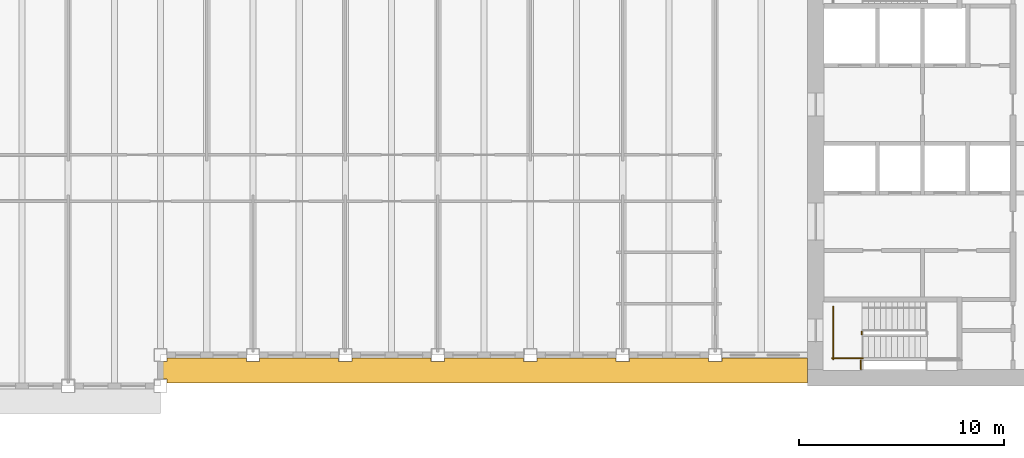
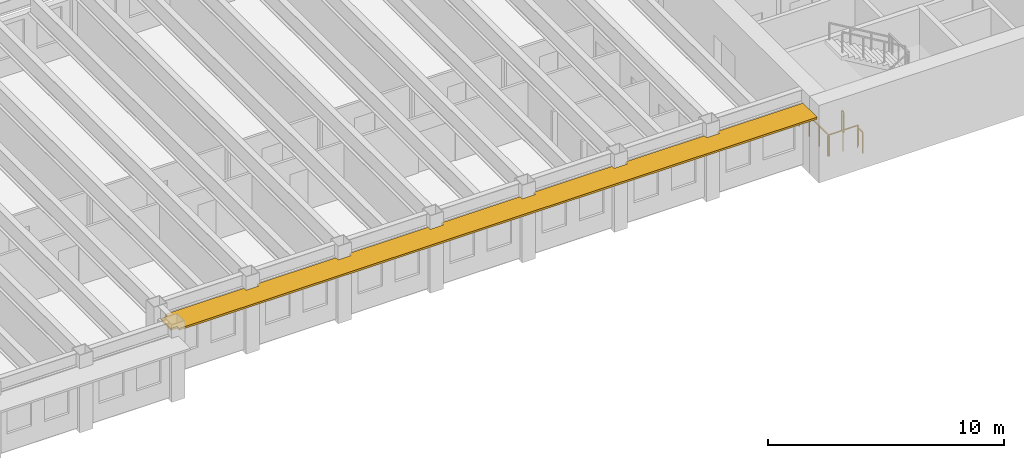
# One storey, part 9 of 12: 4 railings, 1 shading device.
"""IFC4 building model written with IfcOpenShell, lengths in metres."""

from ifc_helpers import new_model, si_unit, direction, frame, origin, origin_2d, place, context, subcontext, project, spatial, polyline, rectangle, outline, extrude, material, layer, layer_set, type_object, element, save


model = new_model("IFC4")

# Units and contexts
model_context = context("Model", 3, precision=1e-05, world=origin(), true_north=direction((0.0, 1.0)))
body_context = subcontext(model_context, "Body", "Model", "MODEL_VIEW")
ifc_project = project(units=[si_unit("LENGTHUNIT", "METRE"), si_unit("AREAUNIT", "SQUARE_METRE"), si_unit("VOLUMEUNIT", "CUBIC_METRE"), si_unit("PLANEANGLEUNIT", "RADIAN"), si_unit("MASSUNIT", "GRAM", prefix="KILO")], contexts=[model_context])

# Site, building, storey
site_placement = place(None, origin())
site = spatial("IfcSite", under=ifc_project, at=site_placement, CompositionType="ELEMENT")
building_placement = place(site_placement, origin())
building = spatial("IfcBuilding", under=site, at=building_placement, Name="Sennacour Bend Tower", CompositionType="ELEMENT")
storey_placement = place(building_placement, frame((0.0, 0.0, 253.0)))
storey = spatial("IfcBuildingStorey", under=building, at=storey_placement, Name="L58", CompositionType="ELEMENT", Elevation=253.0)

# Railings
ifc_material_1 = material(Name="Stainless steel", Category="steel")
railing_type = type_object("IfcRailingType", Name="RL-GUARD-1100", PredefinedType="GUARDRAIL", material=ifc_material_1)
railing_1_placement = place(storey_placement, frame((56.64990234375, 2.5, 0.0)))
element("IfcRailing", 1, at=railing_1_placement, inside=storey, type_object=railing_type, Name="L58 SA1 stair guard 5", PredefinedType="GUARDRAIL", context=body_context, shape_type="SweptSolid", body=[
    extrude(rectangle(XDim=0.048095703125, YDim=0.048095703125, at=origin_2d()), frame((0.0, 0.0, 1.076171875), z_axis=(0.0, 1.0, 0.0), x_axis=(-1.0, 0.0, 0.0)), (0.0, 0.0, 1.0), 0.14990234375),
    extrude(rectangle(XDim=0.0419921875, YDim=0.0419921875, at=origin_2d()), origin(), (0.0, 0.0, 1.0), 1.052001953125),
    extrude(rectangle(XDim=0.0419921875, YDim=0.0419921875, at=origin_2d()), frame((0.0, 0.14990234375, 0.0)), (0.0, 0.0, 1.0), 1.052001953125),
])
railing_2_placement = place(storey_placement, frame((55.199951171875, 1.35009765625, 0.0)))
element("IfcRailing", 2, at=railing_2_placement, inside=storey, type_object=railing_type, Name="L58 SA1 stair guard 6", PredefinedType="GUARDRAIL", context=body_context, shape_type="SweptSolid", body=[
    extrude(rectangle(XDim=0.048095703125, YDim=0.048095703125, at=origin_2d()), frame((0.0, 0.0, 1.076171875), z_axis=(1.0, 0.0, 0.0), x_axis=(0.0, 1.0, 0.0)), (0.0, 0.0, 1.0), 1.5),
    extrude(rectangle(XDim=0.0419921875, YDim=0.0419921875, at=origin_2d()), origin(), (0.0, 0.0, 1.0), 1.052001953125),
    extrude(rectangle(XDim=0.0419921875, YDim=0.0419921875, at=origin_2d()), frame((0.75, 0.0, 0.0)), (0.0, 0.0, 1.0), 1.052001953125),
    extrude(rectangle(XDim=0.0419921875, YDim=0.0419921875, at=origin_2d()), frame((1.5, 0.0, 0.0)), (0.0, 0.0, 1.0), 1.052001953125),
])
railing_3_placement = place(storey_placement, frame((55.25, 1.300048828125, 0.0)))
element("IfcRailing", 3, at=railing_3_placement, inside=storey, type_object=railing_type, Name="L58 SA1 stair guard 7", PredefinedType="GUARDRAIL", context=body_context, shape_type="SweptSolid", body=[
    extrude(rectangle(XDim=0.048095703125, YDim=0.048095703125, at=origin_2d()), frame((0.0, 0.0, 1.076171875), z_axis=(0.0, 1.0, 0.0), x_axis=(-1.0, 0.0, 0.0)), (0.0, 0.0, 1.0), 2.550048828125),
    extrude(rectangle(XDim=0.0419921875, YDim=0.0419921875, at=origin_2d()), origin(), (0.0, 0.0, 1.0), 1.052001953125),
    extrude(rectangle(XDim=0.0419921875, YDim=0.0419921875, at=origin_2d()), frame((0.0, 0.85009765625, 0.0)), (0.0, 0.0, 1.0), 1.052001953125),
    extrude(rectangle(XDim=0.0419921875, YDim=0.0419921875, at=origin_2d()), frame((0.0, 1.699951171875, 0.0)), (0.0, 0.0, 1.0), 1.052001953125),
    extrude(rectangle(XDim=0.0419921875, YDim=0.0419921875, at=origin_2d()), frame((0.0, 2.550048828125, 0.0)), (0.0, 0.0, 1.0), 1.052001953125),
])
railing_4_placement = place(storey_placement, frame((56.60009765625, 1.25, 0.0)))
element("IfcRailing", 4, at=railing_4_placement, inside=storey, type_object=railing_type, Name="L58 SA1 landing edge guard 145", PredefinedType="GUARDRAIL", context=body_context, shape_type="SweptSolid", body=[
    extrude(rectangle(XDim=0.048095703125, YDim=0.048095703125, at=origin_2d()), frame((0.0, 0.0, 1.076171875), z_axis=(0.0, -1.0, 0.0), x_axis=(1.0, 0.0, 0.0)), (0.0, 0.0, 1.0), 0.449951171875),
    extrude(rectangle(XDim=0.0419921875, YDim=0.0419921875, at=origin_2d()), origin(), (0.0, 0.0, 1.0), 1.052001953125),
    extrude(rectangle(XDim=0.0419921875, YDim=0.0419921875, at=origin_2d()), frame((0.0, -0.449951171875, 0.0)), (0.0, 0.0, 1.0), 1.052001953125),
])

# Shading device
ifc_material_2 = material(Name="Bronze anodised aluminium", Category="aluminium")
ifc_layer = layer(ifc_material_2, 0.10009765625, Name="Bronze anodised aluminium", Category="aluminium")
ifc_layer_set = layer_set([ifc_layer], Name="Bronze anodised aluminium")
shading_device_type = type_object("IfcShadingDeviceType", Name="SUNSHADE BAND STRAIGHT", PredefinedType="USERDEFINED", material=ifc_layer_set)
shading_device_placement = place(storey_placement, frame((0.0, 0.0, 3.06201171875)))
element("IfcShadingDevice", 5, at=shading_device_placement, inside=storey, type_object=shading_device_type, Name="Sunshade band L58 A outer face", ObjectType="SUNSHADE", PredefinedType="USERDEFINED", context=body_context, shape_type="SweptSolid", body=[
    extrude(outline(polyline([(26.675048828125, 1.35009765625), (26.675048828125, 1.175048828125), (27.324951171875, 1.175048828125), (27.324951171875, 1.35009765625), (31.175048828125, 1.35009765625), (31.175048828125, 1.175048828125), (31.824951171875, 1.175048828125), (31.824951171875, 1.35009765625), (35.675048828125, 1.35009765625), (35.675048828125, 1.175048828125), (36.324951171875, 1.175048828125), (36.324951171875, 1.35009765625), (40.175048828125, 1.35009765625), (40.175048828125, 1.175048828125), (40.824951171875, 1.175048828125), (40.824951171875, 1.35009765625), (44.675048828125, 1.35009765625), (44.675048828125, 1.175048828125), (45.324951171875, 1.175048828125), (45.324951171875, 1.35009765625), (49.175048828125, 1.35009765625), (49.175048828125, 1.175048828125), (49.824951171875, 1.175048828125), (49.824951171875, 1.35009765625), (54.0, 1.35009765625), (54.0, 0.14990234375), (22.824951171875, 0.14990234375), (22.824951171875, 0.324951171875), (22.5, 0.324951171875), (22.5, 1.175048828125), (22.824951171875, 1.175048828125), (22.824951171875, 1.35009765625), (26.675048828125, 1.35009765625)])), origin(), (0.0, 0.0, 1.0), 0.10009765625),
])

save(model, "model.ifc")
